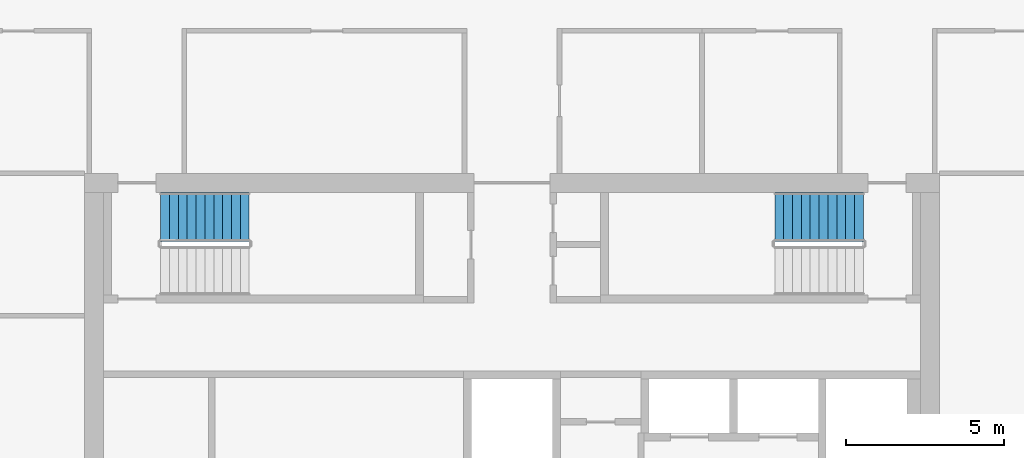
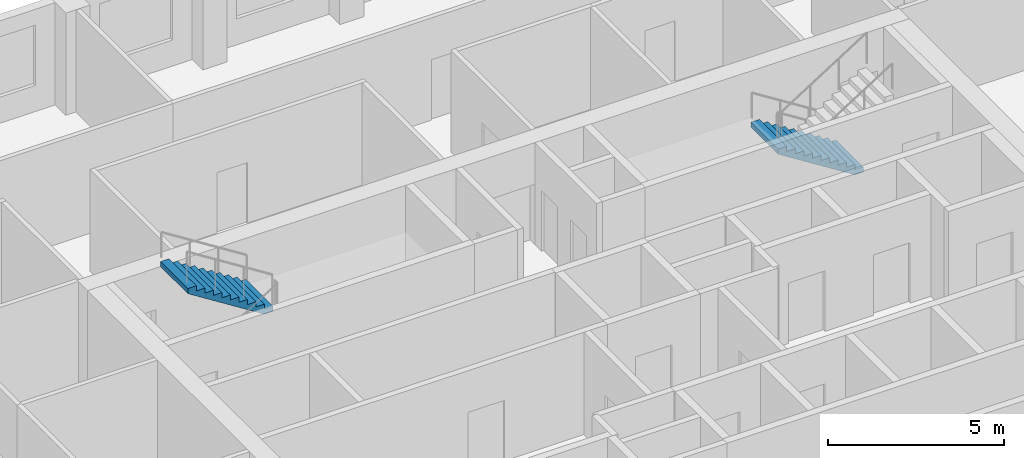
# One storey, part 8 of 9: 2 stair flights, 2 elements without a shape of their own.
"""IFC4 building model written with IfcOpenShell, lengths in metres."""

from ifc_helpers import new_model, si_unit, direction, frame, origin, place, context, subcontext, project, spatial, polyline, outline, extrude, material, type_object, element, aggregate, save


model = new_model("IFC4")

# Units and contexts
model_context = context("Model", 3, precision=1e-05, world=origin(), true_north=direction((0.0, 1.0)))
body_context = subcontext(model_context, "Body", "Model", "MODEL_VIEW")
ifc_project = project(units=[si_unit("LENGTHUNIT", "METRE"), si_unit("AREAUNIT", "SQUARE_METRE"), si_unit("VOLUMEUNIT", "CUBIC_METRE"), si_unit("PLANEANGLEUNIT", "RADIAN"), si_unit("MASSUNIT", "GRAM", prefix="KILO")], contexts=[model_context])

# Site, building, storey
site_placement = place(None, origin())
site = spatial("IfcSite", under=ifc_project, at=site_placement, CompositionType="ELEMENT")
building_placement = place(site_placement, origin())
building = spatial("IfcBuilding", under=site, at=building_placement, Name="Dhurran Vertical Campus", CompositionType="ELEMENT")
storey_placement = place(building_placement, frame((0.0, 0.0, 203.39990234375)))
storey = spatial("IfcBuildingStorey", under=building, at=storey_placement, Name="L50", CompositionType="ELEMENT", Elevation=203.39990234375)

# Stair, stair flight
ifc_material_1 = material(Name="Concrete C40/50", Category="concrete")
stair_type = type_object("IfcStairType", Name="co-ST-CORE", PredefinedType="HALF_TURN_STAIR", material=ifc_material_1)
stair_1_placement = place(storey_placement, origin())
stair_1 = element("IfcStair", 1, at=stair_1_placement, inside=storey, type_object=stair_type, Name="L50 Protected exit stair ST1", PredefinedType="HALF_TURN_STAIR")
ifc_material_2 = material(Name="Concrete C40/50", Category="concrete")
stair_flight_type = type_object("IfcStairFlightType", Name="co-SFL-RC", PredefinedType="STRAIGHT", material=ifc_material_2)
stair_flight_1_placement = place(storey_placement, frame((-8.300048828125, 9.875, 1.9501953125), z_axis=(0.0, 0.0, 1.0), x_axis=(-1.0, 0.0, 0.0)))
stair_flight_1 = element("IfcStairFlight", 2, at=stair_flight_1_placement, type_object=stair_flight_type, Name="ST1 flight 2", NumberOfRisers=11, NumberOfTreads=10, PredefinedType="STRAIGHT", RiserHeight=0.177272727, TreadLength=0.28, context=body_context, shape_type="SweptSolid", body=[
    extrude(outline(polyline([(0.0, 0.0), (0.0, 0.17724609375), (0.280029296875, 0.17724609375), (0.280029296875, 0.3544921875), (0.56005859375, 0.3544921875), (0.56005859375, 0.53173828125), (0.840087890625, 0.53173828125), (0.840087890625, 0.708984375), (1.1201171875, 0.708984375), (1.1201171875, 0.886474609375), (1.39990234375, 0.886474609375), (1.39990234375, 1.063720703125), (1.679931640625, 1.063720703125), (1.679931640625, 1.240966796875), (1.9599609375, 1.240966796875), (1.9599609375, 1.418212890625), (2.239990234375, 1.418212890625), (2.239990234375, 1.595458984375), (2.52001953125, 1.595458984375), (2.52001953125, 1.772705078125), (2.800048828125, 1.772705078125), (2.800048828125, 1.949951171875), (2.800048828125, 1.59521484375), (0.2802734375, 0.0), (0.0, 0.0)])), frame((0.0, 0.77490234375, 0.0), z_axis=(0.0, -1.0, 0.0), x_axis=(1.0, 0.0, 0.0)), (0.0, 0.0, 1.0), 1.550048828125),
])
aggregate(stair_1, [stair_flight_1])

stair_2_placement = place(storey_placement, origin())
stair_2 = element("IfcStair", 3, at=stair_2_placement, inside=storey, type_object=stair_type, Name="L50 Protected exit stair ST2", PredefinedType="HALF_TURN_STAIR")
stair_flight_2_placement = place(storey_placement, frame((11.10009765625, 9.875, 0.0), z_axis=(0.0, 0.0, 1.0), x_axis=(-1.0, 0.0, 0.0)))
stair_flight_2 = element("IfcStairFlight", 4, at=stair_flight_2_placement, type_object=stair_flight_type, Name="ST2 flight 1", NumberOfRisers=11, NumberOfTreads=10, PredefinedType="STRAIGHT", RiserHeight=0.177272727, TreadLength=0.28, context=body_context, shape_type="SweptSolid", body=[
    extrude(outline(polyline([(0.0, 0.0), (0.0, 0.17724609375), (0.280029296875, 0.17724609375), (0.280029296875, 0.3544921875), (0.56005859375, 0.3544921875), (0.56005859375, 0.53173828125), (0.840087890625, 0.53173828125), (0.840087890625, 0.708984375), (1.1201171875, 0.708984375), (1.1201171875, 0.886474609375), (1.39990234375, 0.886474609375), (1.39990234375, 1.063720703125), (1.679931640625, 1.063720703125), (1.679931640625, 1.240966796875), (1.9599609375, 1.240966796875), (1.9599609375, 1.418212890625), (2.239990234375, 1.418212890625), (2.239990234375, 1.595458984375), (2.52001953125, 1.595458984375), (2.52001953125, 1.772705078125), (2.800048828125, 1.772705078125), (2.800048828125, 1.949951171875), (2.800048828125, 1.59521484375), (0.2802734375, 0.0), (0.0, 0.0)])), frame((0.0, 0.77490234375, 0.0), z_axis=(0.0, -1.0, 0.0), x_axis=(1.0, 0.0, 0.0)), (0.0, 0.0, 1.0), 1.550048828125),
])
aggregate(stair_2, [stair_flight_2])

save(model, "model.ifc")
